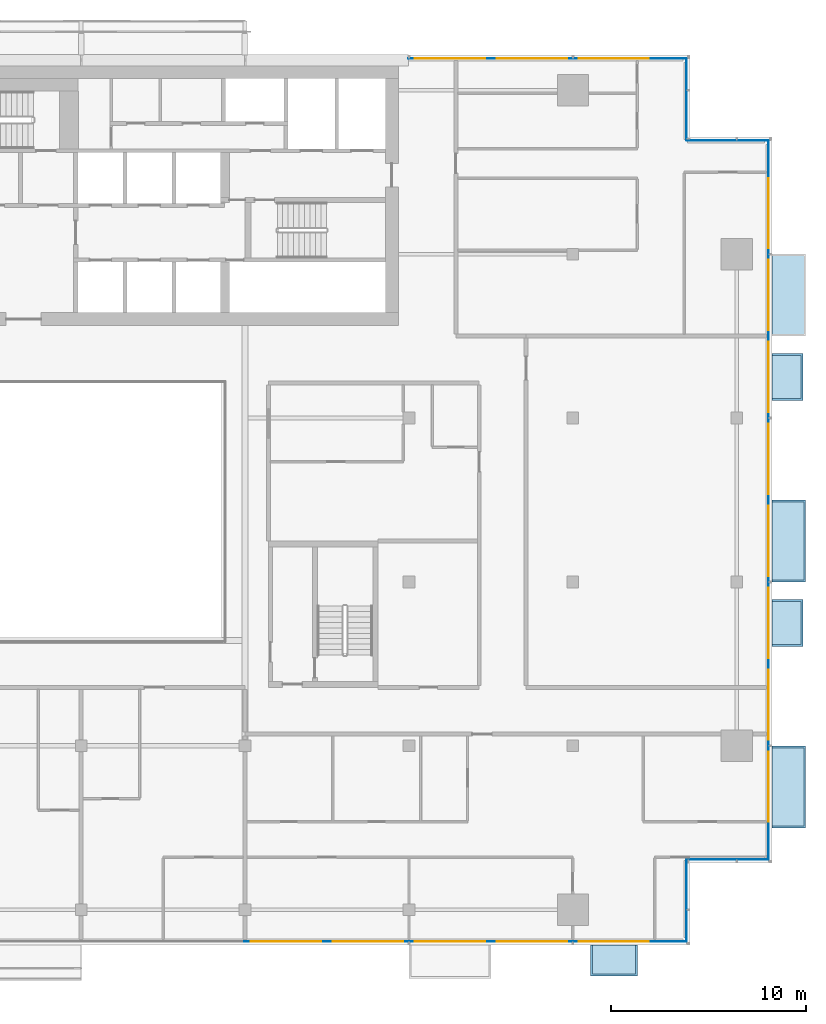
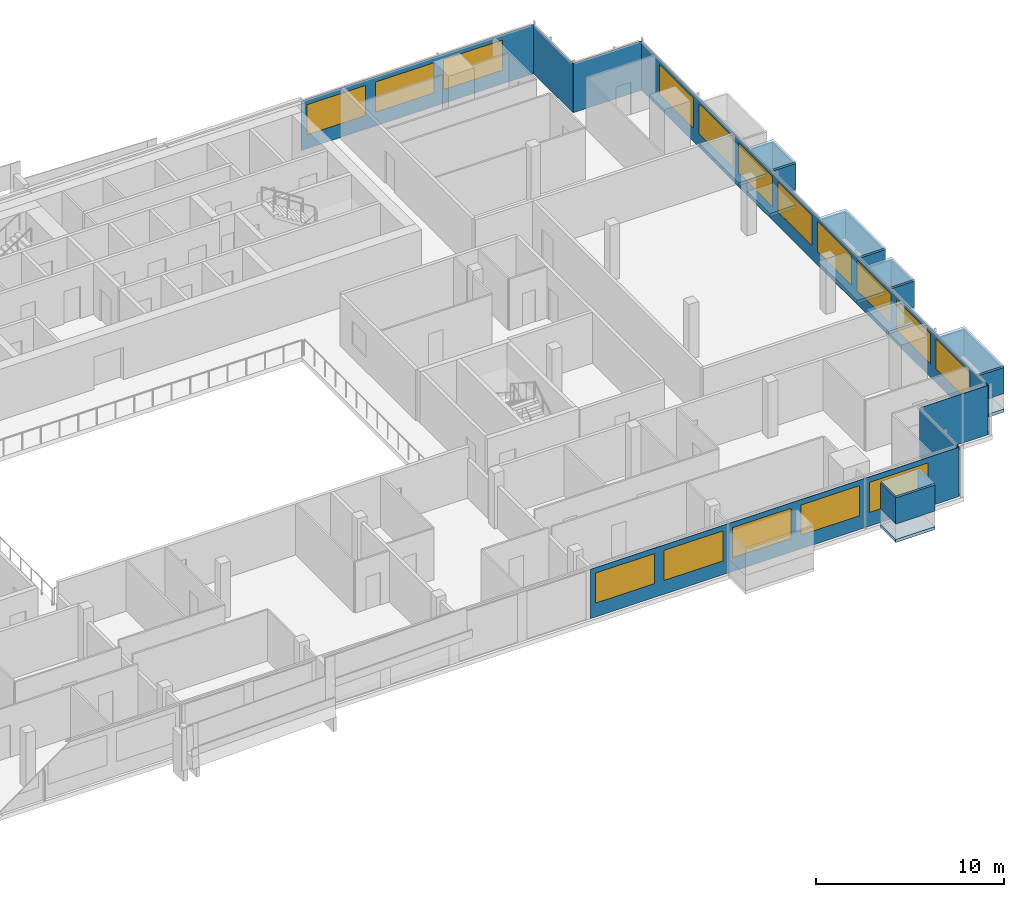
# One storey, part 16 of 27: 17 plates, 16 windows, 6 slabs, 16 openings, 7 elements without a shape of their own.
"""IFC4 building model written with IfcOpenShell, lengths in metres."""

from ifc_helpers import new_model, si_unit, direction, frame, frame_2d, origin, place, context, subcontext, project, spatial, polyline, rectangle, outline, extrude, material, layer, layer_set, type_object, element, fill, aggregate, save


model = new_model("IFC4")

# Units and contexts
model_context = context("Model", 3, precision=1e-05, world=origin(), true_north=direction((0.0, 1.0)))
body_context = subcontext(model_context, "Body", "Model", "MODEL_VIEW")
ifc_project = project(units=[si_unit("LENGTHUNIT", "METRE"), si_unit("AREAUNIT", "SQUARE_METRE"), si_unit("VOLUMEUNIT", "CUBIC_METRE"), si_unit("PLANEANGLEUNIT", "RADIAN"), si_unit("MASSUNIT", "GRAM", prefix="KILO")], contexts=[model_context])

# Site, building, storey
site_placement = place(None, origin())
site = spatial("IfcSite", under=ifc_project, at=site_placement, CompositionType="ELEMENT")
building_placement = place(site_placement, origin())
building = spatial("IfcBuilding", under=site, at=building_placement, Name="Saffron Gate Tower", CompositionType="ELEMENT")
storey_placement = place(building_placement, frame((0.0, 0.0, 209.10009765625)))
storey = spatial("IfcBuildingStorey", under=building, at=storey_placement, Name="L50", CompositionType="ELEMENT", Elevation=209.10009765625)

# Curtain wall, plate, openings, windows
ifc_material_1 = material(Name="Aluminium, bronze anodised", Category="aluminium")
curtain_wall_type_1 = type_object("IfcCurtainWallType", Name="CWS1 curtain wall front facade", PredefinedType="NOTDEFINED", material=ifc_material_1)
curtain_wall_1_placement = place(storey_placement, origin())
curtain_wall_1 = element("IfcCurtainWall", 1, at=curtain_wall_1_placement, inside=storey, type_object=curtain_wall_type_1, Name="CWS1 run 1", PredefinedType="NOTDEFINED")
ifc_material_2 = material(Name="Fritted bronze-tinted laminated glass", Category="glass")
ifc_layer_1 = layer(ifc_material_2, 0.028076171875)
ifc_layer_set_1 = layer_set([ifc_layer_1], Name="CWS1 fixed glass")
plate_type_1 = type_object("IfcPlateType", Name="CWS1 fixed glass", PredefinedType="CURTAIN_PANEL", material=ifc_layer_set_1)
plate_1_placement = place(storey_placement, frame((100.169921875, 30.174072265625, 0.0), z_axis=(0.0, 0.0, 1.0), x_axis=(1.0, 0.0, 0.0)))
plate_1 = element("IfcPlate", 2, at=plate_1_placement, type_object=plate_type_1, Name="CWS1 glass panel", PredefinedType="CURTAIN_PANEL", context=body_context, shape_type="SweptSolid", body=[
    extrude(rectangle(XDim=22.64208984375, YDim=0.028076171875, at=frame_2d((11.321044921875, 0.0))), origin(), (0.0, 0.0, 1.0), 3.199951171875),
])
opening_1_placement = place(plate_1_placement, frame((0.330078125, 0.0, 0.89990234375)))
opening_1 = element("IfcOpeningElement", 3, at=opening_1_placement, cuts=plate_1, Name="Opening W1", PredefinedType="OPENING", context=body_context, shape_type="SweptSolid", body=[
    extrude(rectangle(XDim=3.60009765625, YDim=1.949951171875, at=frame_2d((1.800048828125, 0.97509765625))), frame((0.0, 0.02392578125, 0.0), z_axis=(0.0, -1.0, 0.0), x_axis=(1.0, 0.0, 0.0)), (0.0, 0.0, 1.0), 0.048095703125),
])
opening_2_placement = place(plate_1_placement, frame((4.530029296875, 0.0, 0.89990234375)))
opening_2 = element("IfcOpeningElement", 4, at=opening_2_placement, cuts=plate_1, Name="Opening W1", PredefinedType="OPENING", context=body_context, shape_type="SweptSolid", body=[
    extrude(rectangle(XDim=3.60009765625, YDim=1.949951171875, at=frame_2d((1.800048828125, 0.97509765625))), frame((0.0, 0.02392578125, 0.0), z_axis=(0.0, -1.0, 0.0), x_axis=(1.0, 0.0, 0.0)), (0.0, 0.0, 1.0), 0.048095703125),
])
opening_3_placement = place(plate_1_placement, frame((8.72998046875, 0.0, 0.89990234375)))
opening_3 = element("IfcOpeningElement", 5, at=opening_3_placement, cuts=plate_1, Name="Opening W1", PredefinedType="OPENING", context=body_context, shape_type="SweptSolid", body=[
    extrude(rectangle(XDim=3.60009765625, YDim=1.949951171875, at=frame_2d((1.800048828125, 0.97509765625))), frame((0.0, 0.02392578125, 0.0), z_axis=(0.0, -1.0, 0.0), x_axis=(1.0, 0.0, 0.0)), (0.0, 0.0, 1.0), 0.048095703125),
])
opening_4_placement = place(plate_1_placement, frame((12.929931640625, 0.0, 0.89990234375)))
opening_4 = element("IfcOpeningElement", 6, at=opening_4_placement, cuts=plate_1, Name="Opening W1", PredefinedType="OPENING", context=body_context, shape_type="SweptSolid", body=[
    extrude(rectangle(XDim=3.60009765625, YDim=1.949951171875, at=frame_2d((1.800048828125, 0.97509765625))), frame((0.0, 0.02392578125, 0.0), z_axis=(0.0, -1.0, 0.0), x_axis=(1.0, 0.0, 0.0)), (0.0, 0.0, 1.0), 0.048095703125),
])
opening_5_placement = place(plate_1_placement, frame((17.1298828125, 0.0, 0.89990234375)))
opening_5 = element("IfcOpeningElement", 7, at=opening_5_placement, cuts=plate_1, Name="Opening W1", PredefinedType="OPENING", context=body_context, shape_type="SweptSolid", body=[
    extrude(rectangle(XDim=3.60009765625, YDim=1.949951171875, at=frame_2d((1.800048828125, 0.97509765625))), frame((0.0, 0.02392578125, 0.0), z_axis=(0.0, -1.0, 0.0), x_axis=(1.0, 0.0, 0.0)), (0.0, 0.0, 1.0), 0.048095703125),
])
ifc_material_3 = material(Name="Fritted bronze-tinted laminated glass in bronze frame", Category="glass")
ifc_layer_2 = layer(ifc_material_3, 0.06005859375)
ifc_layer_set_2 = layer_set([ifc_layer_2], Name="W1 operable panel 3600x1950")
window_type = type_object("IfcWindowType", Name="W1 operable panel 3600x1950", PartitioningType="DOUBLE_PANEL_HORIZONTAL", PredefinedType="WINDOW", material=ifc_layer_set_2)
window_1_placement = place(opening_1_placement, origin())
window_1 = element("IfcWindow", 8, at=window_1_placement, type_object=window_type, Name="W1 operable panel", OverallHeight=1.949951171875, OverallWidth=3.60009765625, PartitioningType="SINGLE_PANEL", PredefinedType="WINDOW", context=body_context, shape_type="SweptSolid", body=[
    extrude(rectangle(XDim=3.60009765625, YDim=1.949951171875, at=frame_2d((1.800048828125, 0.97509765625))), frame((0.0, 0.013671875, 0.0), z_axis=(0.0, -1.0, 0.0), x_axis=(1.0, 0.0, 0.0)), (0.0, 0.0, 1.0), 0.027587890625),
])
fill(opening_1, window_1)
window_2_placement = place(opening_2_placement, origin())
window_2 = element("IfcWindow", 9, at=window_2_placement, type_object=window_type, Name="W1 operable panel", OverallHeight=1.949951171875, OverallWidth=3.60009765625, PartitioningType="SINGLE_PANEL", PredefinedType="WINDOW", context=body_context, shape_type="SweptSolid", body=[
    extrude(rectangle(XDim=3.60009765625, YDim=1.949951171875, at=frame_2d((1.800048828125, 0.97509765625))), frame((0.0, 0.013671875, 0.0), z_axis=(0.0, -1.0, 0.0), x_axis=(1.0, 0.0, 0.0)), (0.0, 0.0, 1.0), 0.027587890625),
])
fill(opening_2, window_2)
window_3_placement = place(opening_3_placement, origin())
window_3 = element("IfcWindow", 10, at=window_3_placement, type_object=window_type, Name="W1 operable panel", OverallHeight=1.949951171875, OverallWidth=3.60009765625, PartitioningType="SINGLE_PANEL", PredefinedType="WINDOW", context=body_context, shape_type="SweptSolid", body=[
    extrude(rectangle(XDim=3.60009765625, YDim=1.949951171875, at=frame_2d((1.800048828125, 0.97509765625))), frame((0.0, 0.013671875, 0.0), z_axis=(0.0, -1.0, 0.0), x_axis=(1.0, 0.0, 0.0)), (0.0, 0.0, 1.0), 0.027587890625),
])
fill(opening_3, window_3)
window_4_placement = place(opening_4_placement, origin())
window_4 = element("IfcWindow", 11, at=window_4_placement, type_object=window_type, Name="W1 operable panel", OverallHeight=1.949951171875, OverallWidth=3.60009765625, PartitioningType="SINGLE_PANEL", PredefinedType="WINDOW", context=body_context, shape_type="SweptSolid", body=[
    extrude(rectangle(XDim=3.60009765625, YDim=1.949951171875, at=frame_2d((1.800048828125, 0.97509765625))), frame((0.0, 0.013671875, 0.0), z_axis=(0.0, -1.0, 0.0), x_axis=(1.0, 0.0, 0.0)), (0.0, 0.0, 1.0), 0.027587890625),
])
fill(opening_4, window_4)
window_5_placement = place(opening_5_placement, origin())
window_5 = element("IfcWindow", 12, at=window_5_placement, type_object=window_type, Name="W1 operable panel", OverallHeight=1.949951171875, OverallWidth=3.60009765625, PartitioningType="SINGLE_PANEL", PredefinedType="WINDOW", context=body_context, shape_type="SweptSolid", body=[
    extrude(rectangle(XDim=3.60009765625, YDim=1.949951171875, at=frame_2d((1.800048828125, 0.97509765625))), frame((0.0, 0.013671875, 0.0), z_axis=(0.0, -1.0, 0.0), x_axis=(1.0, 0.0, 0.0)), (0.0, 0.0, 1.0), 0.027587890625),
])
fill(opening_5, window_5)
aggregate(curtain_wall_1, [plate_1, window_1, window_2, window_3, window_4, window_5])

curtain_wall_type_2 = type_object("IfcCurtainWallType", Name="CWS2 curtain wall side facades", PredefinedType="NOTDEFINED", material=ifc_material_1)
curtain_wall_2_placement = place(storey_placement, origin())
curtain_wall_2 = element("IfcCurtainWall", 13, at=curtain_wall_2_placement, inside=storey, type_object=curtain_wall_type_2, Name="CWS2 run 4", PredefinedType="NOTDEFINED")
ifc_layer_3 = layer(ifc_material_2, 0.028076171875)
ifc_layer_set_3 = layer_set([ifc_layer_3], Name="CWS2 fixed glass")
plate_type_2 = type_object("IfcPlateType", Name="CWS2 fixed glass", PredefinedType="CURTAIN_PANEL", material=ifc_layer_set_3)
plate_2_placement = place(storey_placement, frame((127.02587890625, 34.387939453125, 0.0), z_axis=(0.0, 0.0, 1.0), x_axis=(0.0, 1.0, 0.0)))
plate_2 = element("IfcPlate", 14, at=plate_2_placement, type_object=plate_type_2, Name="CWS2 glass panel", PredefinedType="CURTAIN_PANEL", context=body_context, shape_type="SweptSolid", body=[
    extrude(rectangle(XDim=36.823974609375, YDim=0.028076171875, at=frame_2d((18.412109375, 0.0))), origin(), (0.0, 0.0, 1.0), 3.199951171875),
])
opening_6_placement = place(plate_2_placement, frame((1.912109375, 0.0, 0.89990234375)))
opening_6 = element("IfcOpeningElement", 15, at=opening_6_placement, cuts=plate_2, Name="Opening W1", PredefinedType="OPENING", context=body_context, shape_type="SweptSolid", body=[
    extrude(rectangle(XDim=3.60009765625, YDim=1.949951171875, at=frame_2d((1.800048828125, 0.97509765625))), frame((0.0, 0.02392578125, 0.0), z_axis=(0.0, -1.0, 0.0), x_axis=(1.0, 0.0, 0.0)), (0.0, 0.0, 1.0), 0.048095703125),
])
opening_7_placement = place(plate_2_placement, frame((6.112060546875, 0.0, 0.89990234375)))
opening_7 = element("IfcOpeningElement", 16, at=opening_7_placement, cuts=plate_2, Name="Opening W1", PredefinedType="OPENING", context=body_context, shape_type="SweptSolid", body=[
    extrude(rectangle(XDim=3.60009765625, YDim=1.949951171875, at=frame_2d((1.800048828125, 0.97509765625))), frame((0.0, 0.02392578125, 0.0), z_axis=(0.0, -1.0, 0.0), x_axis=(1.0, 0.0, 0.0)), (0.0, 0.0, 1.0), 0.048095703125),
])
opening_8_placement = place(plate_2_placement, frame((10.31201171875, 0.0, 0.89990234375)))
opening_8 = element("IfcOpeningElement", 17, at=opening_8_placement, cuts=plate_2, Name="Opening W1", PredefinedType="OPENING", context=body_context, shape_type="SweptSolid", body=[
    extrude(rectangle(XDim=3.60009765625, YDim=1.949951171875, at=frame_2d((1.800048828125, 0.97509765625))), frame((0.0, 0.02392578125, 0.0), z_axis=(0.0, -1.0, 0.0), x_axis=(1.0, 0.0, 0.0)), (0.0, 0.0, 1.0), 0.048095703125),
])
opening_9_placement = place(plate_2_placement, frame((14.511962890625, 0.0, 0.89990234375)))
opening_9 = element("IfcOpeningElement", 18, at=opening_9_placement, cuts=plate_2, Name="Opening W1", PredefinedType="OPENING", context=body_context, shape_type="SweptSolid", body=[
    extrude(rectangle(XDim=3.60009765625, YDim=1.949951171875, at=frame_2d((1.800048828125, 0.97509765625))), frame((0.0, 0.02392578125, 0.0), z_axis=(0.0, -1.0, 0.0), x_axis=(1.0, 0.0, 0.0)), (0.0, 0.0, 1.0), 0.048095703125),
])
opening_10_placement = place(plate_2_placement, frame((18.7119140625, 0.0, 0.89990234375)))
opening_10 = element("IfcOpeningElement", 19, at=opening_10_placement, cuts=plate_2, Name="Opening W1", PredefinedType="OPENING", context=body_context, shape_type="SweptSolid", body=[
    extrude(rectangle(XDim=3.60009765625, YDim=1.949951171875, at=frame_2d((1.800048828125, 0.97509765625))), frame((0.0, 0.02392578125, 0.0), z_axis=(0.0, -1.0, 0.0), x_axis=(1.0, 0.0, 0.0)), (0.0, 0.0, 1.0), 0.048095703125),
])
opening_11_placement = place(plate_2_placement, frame((22.912109375, 0.0, 0.89990234375)))
opening_11 = element("IfcOpeningElement", 20, at=opening_11_placement, cuts=plate_2, Name="Opening W1", PredefinedType="OPENING", context=body_context, shape_type="SweptSolid", body=[
    extrude(rectangle(XDim=3.60009765625, YDim=1.949951171875, at=frame_2d((1.800048828125, 0.97509765625))), frame((0.0, 0.02392578125, 0.0), z_axis=(0.0, -1.0, 0.0), x_axis=(1.0, 0.0, 0.0)), (0.0, 0.0, 1.0), 0.048095703125),
])
opening_12_placement = place(plate_2_placement, frame((27.112060546875, 0.0, 0.89990234375)))
opening_12 = element("IfcOpeningElement", 21, at=opening_12_placement, cuts=plate_2, Name="Opening W1", PredefinedType="OPENING", context=body_context, shape_type="SweptSolid", body=[
    extrude(rectangle(XDim=3.60009765625, YDim=1.949951171875, at=frame_2d((1.800048828125, 0.97509765625))), frame((0.0, 0.02392578125, 0.0), z_axis=(0.0, -1.0, 0.0), x_axis=(1.0, 0.0, 0.0)), (0.0, 0.0, 1.0), 0.048095703125),
])
opening_13_placement = place(plate_2_placement, frame((31.31201171875, 0.0, 0.89990234375)))
opening_13 = element("IfcOpeningElement", 22, at=opening_13_placement, cuts=plate_2, Name="Opening W1", PredefinedType="OPENING", context=body_context, shape_type="SweptSolid", body=[
    extrude(rectangle(XDim=3.60009765625, YDim=1.949951171875, at=frame_2d((1.800048828125, 0.97509765625))), frame((0.0, 0.02392578125, 0.0), z_axis=(0.0, -1.0, 0.0), x_axis=(1.0, 0.0, 0.0)), (0.0, 0.0, 1.0), 0.048095703125),
])
window_6_placement = place(opening_6_placement, origin())
window_6 = element("IfcWindow", 23, at=window_6_placement, type_object=window_type, Name="W1 operable panel", OverallHeight=1.949951171875, OverallWidth=3.60009765625, PartitioningType="SINGLE_PANEL", PredefinedType="WINDOW", context=body_context, shape_type="SweptSolid", body=[
    extrude(rectangle(XDim=3.60009765625, YDim=1.949951171875, at=frame_2d((1.800048828125, 0.97509765625))), frame((0.0, 0.013671875, 0.0), z_axis=(0.0, -1.0, 0.0), x_axis=(1.0, 0.0, 0.0)), (0.0, 0.0, 1.0), 0.027587890625),
])
fill(opening_6, window_6)
window_7_placement = place(opening_7_placement, origin())
window_7 = element("IfcWindow", 24, at=window_7_placement, type_object=window_type, Name="W1 operable panel", OverallHeight=1.949951171875, OverallWidth=3.60009765625, PartitioningType="SINGLE_PANEL", PredefinedType="WINDOW", context=body_context, shape_type="SweptSolid", body=[
    extrude(rectangle(XDim=3.60009765625, YDim=1.949951171875, at=frame_2d((1.800048828125, 0.97509765625))), frame((0.0, 0.013671875, 0.0), z_axis=(0.0, -1.0, 0.0), x_axis=(1.0, 0.0, 0.0)), (0.0, 0.0, 1.0), 0.027587890625),
])
fill(opening_7, window_7)
window_8_placement = place(opening_8_placement, origin())
window_8 = element("IfcWindow", 25, at=window_8_placement, type_object=window_type, Name="W1 operable panel", OverallHeight=1.949951171875, OverallWidth=3.60009765625, PartitioningType="SINGLE_PANEL", PredefinedType="WINDOW", context=body_context, shape_type="SweptSolid", body=[
    extrude(rectangle(XDim=3.60009765625, YDim=1.949951171875, at=frame_2d((1.800048828125, 0.97509765625))), frame((0.0, 0.013671875, 0.0), z_axis=(0.0, -1.0, 0.0), x_axis=(1.0, 0.0, 0.0)), (0.0, 0.0, 1.0), 0.027587890625),
])
fill(opening_8, window_8)
window_9_placement = place(opening_9_placement, origin())
window_9 = element("IfcWindow", 26, at=window_9_placement, type_object=window_type, Name="W1 operable panel", OverallHeight=1.949951171875, OverallWidth=3.60009765625, PartitioningType="SINGLE_PANEL", PredefinedType="WINDOW", context=body_context, shape_type="SweptSolid", body=[
    extrude(rectangle(XDim=3.60009765625, YDim=1.949951171875, at=frame_2d((1.800048828125, 0.97509765625))), frame((0.0, 0.013671875, 0.0), z_axis=(0.0, -1.0, 0.0), x_axis=(1.0, 0.0, 0.0)), (0.0, 0.0, 1.0), 0.027587890625),
])
fill(opening_9, window_9)
window_10_placement = place(opening_10_placement, origin())
window_10 = element("IfcWindow", 27, at=window_10_placement, type_object=window_type, Name="W1 operable panel", OverallHeight=1.949951171875, OverallWidth=3.60009765625, PartitioningType="SINGLE_PANEL", PredefinedType="WINDOW", context=body_context, shape_type="SweptSolid", body=[
    extrude(rectangle(XDim=3.60009765625, YDim=1.949951171875, at=frame_2d((1.800048828125, 0.97509765625))), frame((0.0, 0.013671875, 0.0), z_axis=(0.0, -1.0, 0.0), x_axis=(1.0, 0.0, 0.0)), (0.0, 0.0, 1.0), 0.027587890625),
])
fill(opening_10, window_10)
window_11_placement = place(opening_11_placement, origin())
window_11 = element("IfcWindow", 28, at=window_11_placement, type_object=window_type, Name="W1 operable panel", OverallHeight=1.949951171875, OverallWidth=3.60009765625, PartitioningType="SINGLE_PANEL", PredefinedType="WINDOW", context=body_context, shape_type="SweptSolid", body=[
    extrude(rectangle(XDim=3.60009765625, YDim=1.949951171875, at=frame_2d((1.800048828125, 0.97509765625))), frame((0.0, 0.013671875, 0.0), z_axis=(0.0, -1.0, 0.0), x_axis=(1.0, 0.0, 0.0)), (0.0, 0.0, 1.0), 0.027587890625),
])
fill(opening_11, window_11)
window_12_placement = place(opening_12_placement, origin())
window_12 = element("IfcWindow", 29, at=window_12_placement, type_object=window_type, Name="W1 operable panel", OverallHeight=1.949951171875, OverallWidth=3.60009765625, PartitioningType="SINGLE_PANEL", PredefinedType="WINDOW", context=body_context, shape_type="SweptSolid", body=[
    extrude(rectangle(XDim=3.60009765625, YDim=1.949951171875, at=frame_2d((1.800048828125, 0.97509765625))), frame((0.0, 0.013671875, 0.0), z_axis=(0.0, -1.0, 0.0), x_axis=(1.0, 0.0, 0.0)), (0.0, 0.0, 1.0), 0.027587890625),
])
fill(opening_12, window_12)
window_13_placement = place(opening_13_placement, origin())
window_13 = element("IfcWindow", 30, at=window_13_placement, type_object=window_type, Name="W1 operable panel", OverallHeight=1.949951171875, OverallWidth=3.60009765625, PartitioningType="SINGLE_PANEL", PredefinedType="WINDOW", context=body_context, shape_type="SweptSolid", body=[
    extrude(rectangle(XDim=3.60009765625, YDim=1.949951171875, at=frame_2d((1.800048828125, 0.97509765625))), frame((0.0, 0.013671875, 0.0), z_axis=(0.0, -1.0, 0.0), x_axis=(1.0, 0.0, 0.0)), (0.0, 0.0, 1.0), 0.027587890625),
])
fill(opening_13, window_13)
aggregate(curtain_wall_2, [plate_2, window_6, window_7, window_8, window_9, window_10, window_11, window_12, window_13])

curtain_wall_type_3 = type_object("IfcCurtainWallType", Name="CWS3 curtain wall rear facade", PredefinedType="NOTDEFINED", material=ifc_material_1)
curtain_wall_3_placement = place(storey_placement, origin())
curtain_wall_3 = element("IfcCurtainWall", 31, at=curtain_wall_3_placement, inside=storey, type_object=curtain_wall_type_3, Name="CWS3 run 7", PredefinedType="NOTDEFINED")
ifc_material_4 = material(Name="Fritted grey-tinted laminated glass", Category="glass")
ifc_layer_4 = layer(ifc_material_4, 0.028076171875)
ifc_layer_set_4 = layer_set([ifc_layer_4], Name="CWS3 fixed glass")
plate_type_3 = type_object("IfcPlateType", Name="CWS3 fixed glass", PredefinedType="CURTAIN_PANEL", material=ifc_layer_set_4)
plate_3_placement = place(storey_placement, frame((122.81201171875, 75.426025390625, 0.0), z_axis=(0.0, 0.0, 1.0), x_axis=(-1.0, 0.0, 0.0)))
plate_3 = element("IfcPlate", 32, at=plate_3_placement, type_object=plate_type_3, Name="CWS3 glass panel", PredefinedType="CURTAIN_PANEL", context=body_context, shape_type="SweptSolid", body=[
    extrude(rectangle(XDim=14.2470703125, YDim=0.028076171875, at=frame_2d((7.12353515625, 0.0))), origin(), (0.0, 0.0, 1.0), 3.199951171875),
])
opening_14_placement = place(plate_3_placement, frame((1.912109375, 0.0, 0.89990234375)))
opening_14 = element("IfcOpeningElement", 33, at=opening_14_placement, cuts=plate_3, Name="Opening W1", PredefinedType="OPENING", context=body_context, shape_type="SweptSolid", body=[
    extrude(rectangle(XDim=3.60009765625, YDim=1.949951171875, at=frame_2d((1.800048828125, 0.97509765625))), frame((0.0, 0.02392578125, 0.0), z_axis=(0.0, -1.0, 0.0), x_axis=(1.0, 0.0, 0.0)), (0.0, 0.0, 1.0), 0.048095703125),
])
opening_15_placement = place(plate_3_placement, frame((6.112060546875, 0.0, 0.89990234375)))
opening_15 = element("IfcOpeningElement", 34, at=opening_15_placement, cuts=plate_3, Name="Opening W1", PredefinedType="OPENING", context=body_context, shape_type="SweptSolid", body=[
    extrude(rectangle(XDim=3.60009765625, YDim=1.949951171875, at=frame_2d((1.800048828125, 0.97509765625))), frame((0.0, 0.02392578125, 0.0), z_axis=(0.0, -1.0, 0.0), x_axis=(1.0, 0.0, 0.0)), (0.0, 0.0, 1.0), 0.048095703125),
])
opening_16_placement = place(plate_3_placement, frame((10.31201171875, 0.0, 0.89990234375)))
opening_16 = element("IfcOpeningElement", 35, at=opening_16_placement, cuts=plate_3, Name="Opening W1", PredefinedType="OPENING", context=body_context, shape_type="SweptSolid", body=[
    extrude(rectangle(XDim=3.60009765625, YDim=1.949951171875, at=frame_2d((1.800048828125, 0.97509765625))), frame((0.0, 0.02392578125, 0.0), z_axis=(0.0, -1.0, 0.0), x_axis=(1.0, 0.0, 0.0)), (0.0, 0.0, 1.0), 0.048095703125),
])
window_14_placement = place(opening_14_placement, origin())
window_14 = element("IfcWindow", 36, at=window_14_placement, type_object=window_type, Name="W1 operable panel", OverallHeight=1.949951171875, OverallWidth=3.60009765625, PartitioningType="SINGLE_PANEL", PredefinedType="WINDOW", context=body_context, shape_type="SweptSolid", body=[
    extrude(rectangle(XDim=3.60009765625, YDim=1.949951171875, at=frame_2d((1.800048828125, 0.97509765625))), frame((0.0, 0.013671875, 0.0), z_axis=(0.0, -1.0, 0.0), x_axis=(1.0, 0.0, 0.0)), (0.0, 0.0, 1.0), 0.027587890625),
])
fill(opening_14, window_14)
window_15_placement = place(opening_15_placement, origin())
window_15 = element("IfcWindow", 37, at=window_15_placement, type_object=window_type, Name="W1 operable panel", OverallHeight=1.949951171875, OverallWidth=3.60009765625, PartitioningType="SINGLE_PANEL", PredefinedType="WINDOW", context=body_context, shape_type="SweptSolid", body=[
    extrude(rectangle(XDim=3.60009765625, YDim=1.949951171875, at=frame_2d((1.800048828125, 0.97509765625))), frame((0.0, 0.013671875, 0.0), z_axis=(0.0, -1.0, 0.0), x_axis=(1.0, 0.0, 0.0)), (0.0, 0.0, 1.0), 0.027587890625),
])
fill(opening_15, window_15)
window_16_placement = place(opening_16_placement, origin())
window_16 = element("IfcWindow", 38, at=window_16_placement, type_object=window_type, Name="W1 operable panel", OverallHeight=1.949951171875, OverallWidth=3.60009765625, PartitioningType="SINGLE_PANEL", PredefinedType="WINDOW", context=body_context, shape_type="SweptSolid", body=[
    extrude(rectangle(XDim=3.60009765625, YDim=1.949951171875, at=frame_2d((1.800048828125, 0.97509765625))), frame((0.0, 0.013671875, 0.0), z_axis=(0.0, -1.0, 0.0), x_axis=(1.0, 0.0, 0.0)), (0.0, 0.0, 1.0), 0.027587890625),
])
fill(opening_16, window_16)
aggregate(curtain_wall_3, [plate_3, window_14, window_15, window_16])

# Curtain wall, plate
curtain_wall_type_4 = type_object("IfcCurtainWallType", Name="CWS4 curtain wall corner returns", PredefinedType="NOTDEFINED", material=ifc_material_1)
curtain_wall_4_placement = place(storey_placement, origin())
curtain_wall_4 = element("IfcCurtainWall", 39, at=curtain_wall_4_placement, inside=storey, type_object=curtain_wall_type_4, Name="CWS4 run 2", PredefinedType="NOTDEFINED")
ifc_layer_5 = layer(ifc_material_2, 0.028076171875)
ifc_layer_set_5 = layer_set([ifc_layer_5], Name="CWS4 fixed glass")
plate_type_4 = type_object("IfcPlateType", Name="CWS4 fixed glass", PredefinedType="CURTAIN_PANEL", material=ifc_layer_set_5)
plate_4_placement = place(storey_placement, frame((122.825927734375, 30.18798828125, 0.0), z_axis=(0.0, 0.0, 1.0), x_axis=(0.0, 1.0, 0.0)))
plate_4 = element("IfcPlate", 40, at=plate_4_placement, type_object=plate_type_4, Name="CWS4 glass panel", PredefinedType="CURTAIN_PANEL", context=body_context, shape_type="SweptSolid", body=[
    extrude(rectangle(XDim=4.172119140625, YDim=0.028076171875, at=frame_2d((2.0859375, 0.0))), origin(), (0.0, 0.0, 1.0), 3.199951171875),
])
aggregate(curtain_wall_4, [plate_4])

curtain_wall_5_placement = place(storey_placement, origin())
curtain_wall_5 = element("IfcCurtainWall", 41, at=curtain_wall_5_placement, inside=storey, type_object=curtain_wall_type_4, Name="CWS4 run 3", PredefinedType="NOTDEFINED")
plate_5_placement = place(storey_placement, frame((122.840087890625, 34.3740234375, 0.0), z_axis=(0.0, 0.0, 1.0), x_axis=(1.0, 0.0, 0.0)))
plate_5 = element("IfcPlate", 42, at=plate_5_placement, type_object=plate_type_4, Name="CWS4 glass panel", PredefinedType="CURTAIN_PANEL", context=body_context, shape_type="SweptSolid", body=[
    extrude(rectangle(XDim=4.171875, YDim=0.028076171875, at=frame_2d((2.0859375, 0.0))), origin(), (0.0, 0.0, 1.0), 3.199951171875),
])
aggregate(curtain_wall_5, [plate_5])

curtain_wall_6_placement = place(storey_placement, origin())
curtain_wall_6 = element("IfcCurtainWall", 43, at=curtain_wall_6_placement, inside=storey, type_object=curtain_wall_type_4, Name="CWS4 run 5", PredefinedType="NOTDEFINED")
plate_6_placement = place(storey_placement, frame((127.011962890625, 71.22607421875, 0.0), z_axis=(0.0, 0.0, 1.0), x_axis=(-1.0, 0.0, 0.0)))
plate_6 = element("IfcPlate", 44, at=plate_6_placement, type_object=plate_type_4, Name="CWS4 glass panel", PredefinedType="CURTAIN_PANEL", context=body_context, shape_type="SweptSolid", body=[
    extrude(rectangle(XDim=4.171875, YDim=0.028076171875, at=frame_2d((2.0859375, 0.0))), origin(), (0.0, 0.0, 1.0), 3.199951171875),
])
aggregate(curtain_wall_6, [plate_6])

curtain_wall_7_placement = place(storey_placement, origin())
curtain_wall_7 = element("IfcCurtainWall", 45, at=curtain_wall_7_placement, inside=storey, type_object=curtain_wall_type_4, Name="CWS4 run 6", PredefinedType="NOTDEFINED")
plate_7_placement = place(storey_placement, frame((122.825927734375, 71.239990234375, 0.0), z_axis=(0.0, 0.0, 1.0), x_axis=(0.0, 1.0, 0.0)))
plate_7 = element("IfcPlate", 46, at=plate_7_placement, type_object=plate_type_4, Name="CWS4 glass panel", PredefinedType="CURTAIN_PANEL", context=body_context, shape_type="SweptSolid", body=[
    extrude(rectangle(XDim=4.172119140625, YDim=0.028076171875, at=frame_2d((2.0859375, 0.0))), origin(), (0.0, 0.0, 1.0), 3.199951171875),
])
aggregate(curtain_wall_7, [plate_7])

# Slabs
ifc_material_5 = material(Name="Timber deck on bronze frame", Category="wood")
ifc_layer_6 = layer(ifc_material_5, 0.199951171875)
ifc_layer_set_6 = layer_set([ifc_layer_6], Name="WB1 box floor")
slab_type = type_object("IfcSlabType", Name="WB1 box floor", PredefinedType="FLOOR", material=ifc_layer_set_6)
slab_1_placement = place(storey_placement, frame((0.0, 0.0, -0.2001953125)))
element("IfcSlab", 47, at=slab_1_placement, inside=storey, type_object=slab_type, Name="WINDOW BOX floor", PredefinedType="FLOOR", context=body_context, shape_type="SweptSolid", body=[
    extrude(outline(polyline([(117.89990234375, 30.0), (120.300048828125, 30.0), (120.300048828125, 28.39990234375), (117.89990234375, 28.39990234375), (117.89990234375, 30.0)])), origin(), (0.0, 0.0, 1.0), 0.2001953125),
])
slab_2_placement = place(storey_placement, frame((0.0, 0.0, -0.2001953125)))
element("IfcSlab", 48, at=slab_2_placement, inside=storey, type_object=slab_type, Name="WINDOW BOX floor", PredefinedType="FLOOR", context=body_context, shape_type="SweptSolid", body=[
    extrude(outline(polyline([(127.199951171875, 36.0), (127.199951171875, 40.199951171875), (128.93310546875, 40.199951171875), (128.93310546875, 36.0), (127.199951171875, 36.0)])), origin(), (0.0, 0.0, 1.0), 0.2001953125),
])
slab_3_placement = place(storey_placement, frame((0.0, 0.0, -0.2001953125)))
element("IfcSlab", 49, at=slab_3_placement, inside=storey, type_object=slab_type, Name="WINDOW BOX floor", PredefinedType="FLOOR", context=body_context, shape_type="SweptSolid", body=[
    extrude(outline(polyline([(127.199951171875, 45.300048828125), (127.199951171875, 47.699951171875), (128.800048828125, 47.699951171875), (128.800048828125, 45.300048828125), (127.199951171875, 45.300048828125)])), origin(), (0.0, 0.0, 1.0), 0.2001953125),
])
slab_4_placement = place(storey_placement, frame((0.0, 0.0, -0.2001953125)))
element("IfcSlab", 50, at=slab_4_placement, inside=storey, type_object=slab_type, Name="WINDOW BOX floor", PredefinedType="FLOOR", context=body_context, shape_type="SweptSolid", body=[
    extrude(outline(polyline([(127.199951171875, 48.60009765625), (127.199951171875, 52.800048828125), (128.93310546875, 52.800048828125), (128.93310546875, 48.60009765625), (127.199951171875, 48.60009765625)])), origin(), (0.0, 0.0, 1.0), 0.2001953125),
])
slab_5_placement = place(storey_placement, frame((0.0, 0.0, -0.2001953125)))
element("IfcSlab", 51, at=slab_5_placement, inside=storey, type_object=slab_type, Name="WINDOW BOX floor", PredefinedType="FLOOR", context=body_context, shape_type="SweptSolid", body=[
    extrude(outline(polyline([(127.199951171875, 57.89990234375), (127.199951171875, 60.300048828125), (128.800048828125, 60.300048828125), (128.800048828125, 57.89990234375), (127.199951171875, 57.89990234375)])), origin(), (0.0, 0.0, 1.0), 0.2001953125),
])
slab_6_placement = place(storey_placement, frame((0.0, 0.0, -0.2001953125)))
element("IfcSlab", 52, at=slab_6_placement, inside=storey, type_object=slab_type, Name="WINDOW BOX floor", PredefinedType="FLOOR", context=body_context, shape_type="SweptSolid", body=[
    extrude(outline(polyline([(127.199951171875, 61.199951171875), (127.199951171875, 65.39990234375), (128.93310546875, 65.39990234375), (128.93310546875, 61.199951171875), (127.199951171875, 61.199951171875)])), origin(), (0.0, 0.0, 1.0), 0.2001953125),
])

# Plates
ifc_layer_7 = layer(ifc_material_1, 0.1201171875)
ifc_layer_set_7 = layer_set([ifc_layer_7], Name="WB2 box roof")
plate_type_5 = type_object("IfcPlateType", Name="WB2 box roof", PredefinedType="SHEET", material=ifc_layer_set_7)
plate_8_placement = place(storey_placement, frame((0.0, 0.0, 2.699951171875)))
element("IfcPlate", 53, at=plate_8_placement, inside=storey, type_object=plate_type_5, Name="WINDOW BOX roof", PredefinedType="SHEET", context=body_context, shape_type="SweptSolid", body=[
    extrude(outline(polyline([(117.89990234375, 30.0), (120.300048828125, 30.0), (120.300048828125, 28.39990234375), (117.89990234375, 28.39990234375), (117.89990234375, 30.0)])), origin(), (0.0, 0.0, 1.0), 0.119873046875),
])
plate_9_placement = place(storey_placement, frame((0.0, 0.0, 2.699951171875)))
element("IfcPlate", 54, at=plate_9_placement, inside=storey, type_object=plate_type_5, Name="WINDOW BOX roof", PredefinedType="SHEET", context=body_context, shape_type="SweptSolid", body=[
    extrude(outline(polyline([(127.199951171875, 36.0), (127.199951171875, 40.199951171875), (128.93310546875, 40.199951171875), (128.93310546875, 36.0), (127.199951171875, 36.0)])), origin(), (0.0, 0.0, 1.0), 0.119873046875),
])
plate_10_placement = place(storey_placement, frame((0.0, 0.0, 2.699951171875)))
element("IfcPlate", 55, at=plate_10_placement, inside=storey, type_object=plate_type_5, Name="WINDOW BOX roof", PredefinedType="SHEET", context=body_context, shape_type="SweptSolid", body=[
    extrude(outline(polyline([(127.199951171875, 45.300048828125), (127.199951171875, 47.699951171875), (128.800048828125, 47.699951171875), (128.800048828125, 45.300048828125), (127.199951171875, 45.300048828125)])), origin(), (0.0, 0.0, 1.0), 0.119873046875),
])
plate_11_placement = place(storey_placement, frame((0.0, 0.0, 2.699951171875)))
element("IfcPlate", 56, at=plate_11_placement, inside=storey, type_object=plate_type_5, Name="WINDOW BOX roof", PredefinedType="SHEET", context=body_context, shape_type="SweptSolid", body=[
    extrude(outline(polyline([(127.199951171875, 48.60009765625), (127.199951171875, 52.800048828125), (128.93310546875, 52.800048828125), (128.93310546875, 48.60009765625), (127.199951171875, 48.60009765625)])), origin(), (0.0, 0.0, 1.0), 0.119873046875),
])
plate_12_placement = place(storey_placement, frame((0.0, 0.0, 2.699951171875)))
element("IfcPlate", 57, at=plate_12_placement, inside=storey, type_object=plate_type_5, Name="WINDOW BOX roof", PredefinedType="SHEET", context=body_context, shape_type="SweptSolid", body=[
    extrude(outline(polyline([(127.199951171875, 57.89990234375), (127.199951171875, 60.300048828125), (128.800048828125, 60.300048828125), (128.800048828125, 57.89990234375), (127.199951171875, 57.89990234375)])), origin(), (0.0, 0.0, 1.0), 0.119873046875),
])
ifc_material_6 = material(Name="Clear low-iron laminated glass", Category="glass")
ifc_layer_8 = layer(ifc_material_6, 0.10009765625)
ifc_layer_set_8 = layer_set([ifc_layer_8], Name="WB6 box glazing")
plate_type_6 = type_object("IfcPlateType", Name="WB6 box glazing", PredefinedType="SHEET", material=ifc_layer_set_8)
plate_13_placement = place(storey_placement, frame((0.0, 0.0, 1.0)))
element("IfcPlate", 58, at=plate_13_placement, inside=storey, type_object=plate_type_6, Name="WINDOW BOX glazing", PredefinedType="SHEET", context=body_context, shape_type="SweptSolid", body=[
    extrude(outline(polyline([(117.89990234375, 30.0), (118.0, 30.0), (118.0, 28.5), (120.199951171875, 28.5), (120.199951171875, 30.0), (120.300048828125, 30.0), (120.300048828125, 28.39990234375), (117.89990234375, 28.39990234375), (117.89990234375, 30.0)])), origin(), (0.0, 0.0, 1.0), 1.699951171875),
])
plate_14_placement = place(storey_placement, frame((0.0, 0.0, 1.0)))
element("IfcPlate", 59, at=plate_14_placement, inside=storey, type_object=plate_type_6, Name="WINDOW BOX glazing", PredefinedType="SHEET", context=body_context, shape_type="SweptSolid", body=[
    extrude(outline(polyline([(127.199951171875, 36.0), (127.199951171875, 36.10009765625), (128.8330078125, 36.10009765625), (128.8330078125, 40.10009765625), (127.199951171875, 40.10009765625), (127.199951171875, 40.199951171875), (128.93310546875, 40.199951171875), (128.93310546875, 36.0), (127.199951171875, 36.0)])), origin(), (0.0, 0.0, 1.0), 1.699951171875),
])
plate_15_placement = place(storey_placement, frame((0.0, 0.0, 1.0)))
element("IfcPlate", 60, at=plate_15_placement, inside=storey, type_object=plate_type_6, Name="WINDOW BOX glazing", PredefinedType="SHEET", context=body_context, shape_type="SweptSolid", body=[
    extrude(outline(polyline([(127.199951171875, 45.300048828125), (127.199951171875, 45.39990234375), (128.699951171875, 45.39990234375), (128.699951171875, 47.60009765625), (127.199951171875, 47.60009765625), (127.199951171875, 47.699951171875), (128.800048828125, 47.699951171875), (128.800048828125, 45.300048828125), (127.199951171875, 45.300048828125)])), origin(), (0.0, 0.0, 1.0), 1.699951171875),
])
plate_16_placement = place(storey_placement, frame((0.0, 0.0, 1.0)))
element("IfcPlate", 61, at=plate_16_placement, inside=storey, type_object=plate_type_6, Name="WINDOW BOX glazing", PredefinedType="SHEET", context=body_context, shape_type="SweptSolid", body=[
    extrude(outline(polyline([(127.199951171875, 48.60009765625), (127.199951171875, 48.699951171875), (128.8330078125, 48.699951171875), (128.8330078125, 52.699951171875), (127.199951171875, 52.699951171875), (127.199951171875, 52.800048828125), (128.93310546875, 52.800048828125), (128.93310546875, 48.60009765625), (127.199951171875, 48.60009765625)])), origin(), (0.0, 0.0, 1.0), 1.699951171875),
])
plate_17_placement = place(storey_placement, frame((0.0, 0.0, 1.0)))
element("IfcPlate", 62, at=plate_17_placement, inside=storey, type_object=plate_type_6, Name="WINDOW BOX glazing", PredefinedType="SHEET", context=body_context, shape_type="SweptSolid", body=[
    extrude(outline(polyline([(127.199951171875, 57.89990234375), (127.199951171875, 58.0), (128.699951171875, 58.0), (128.699951171875, 60.199951171875), (127.199951171875, 60.199951171875), (127.199951171875, 60.300048828125), (128.800048828125, 60.300048828125), (128.800048828125, 57.89990234375), (127.199951171875, 57.89990234375)])), origin(), (0.0, 0.0, 1.0), 1.699951171875),
])

save(model, "model.ifc")
